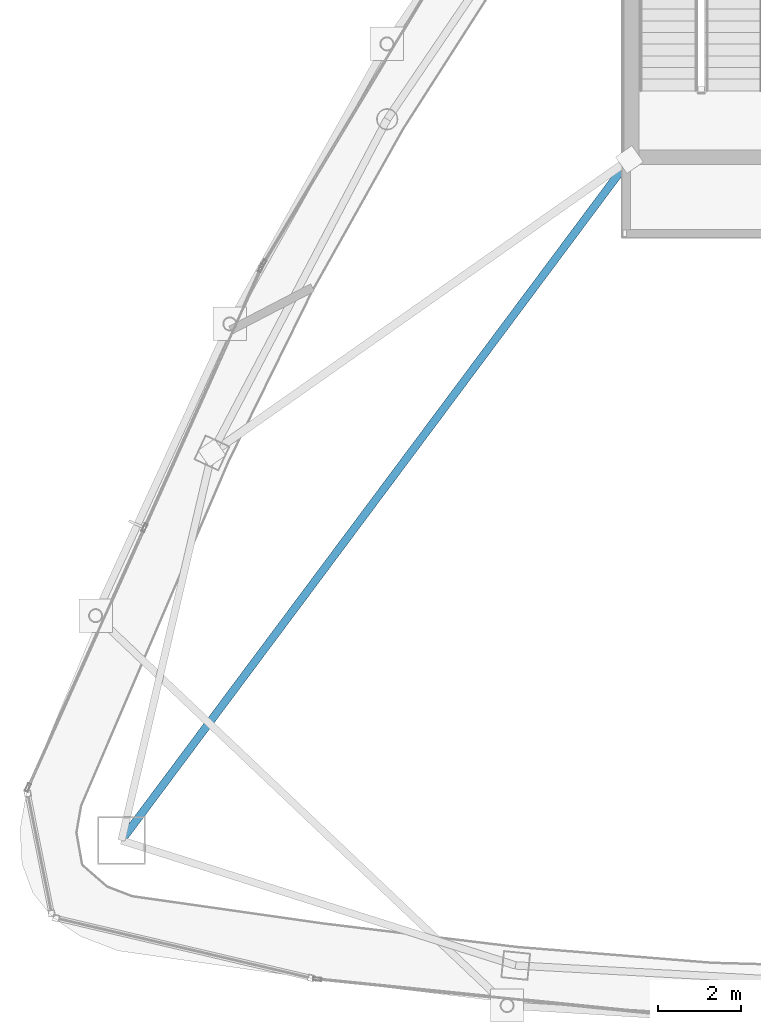
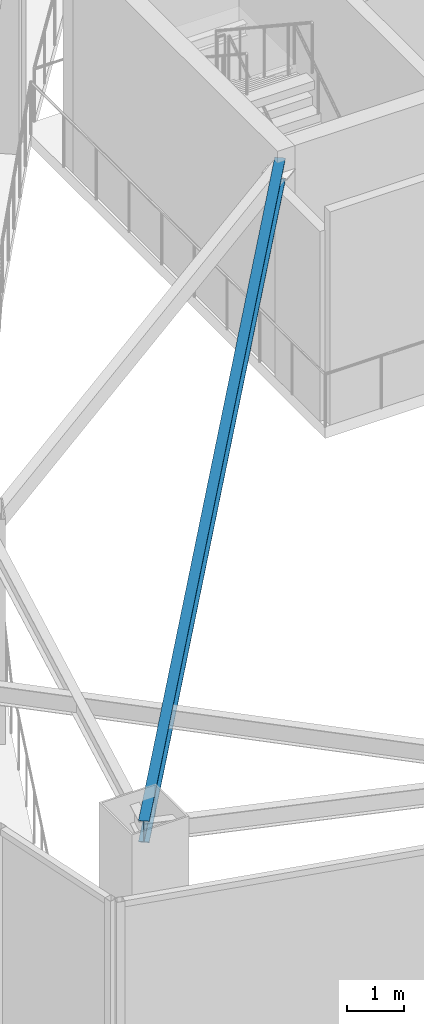
# One storey, part 5 of 20: 1 beam.
"""IFC4 building model written with IfcOpenShell, lengths in metres."""

from ifc_helpers import new_model, si_unit, direction, frame, origin, origin_2d, place, context, subcontext, project, spatial, i_section, extrude, material, material_profile, profile_set, type_object, element, save


model = new_model("IFC4")

# Units and contexts
model_context = context("Model", 3, precision=1e-05, world=origin(), true_north=direction((0.0, 1.0)))
body_context = subcontext(model_context, "Body", "Model", "MODEL_VIEW")
ifc_project = project(units=[si_unit("LENGTHUNIT", "METRE"), si_unit("AREAUNIT", "SQUARE_METRE"), si_unit("VOLUMEUNIT", "CUBIC_METRE"), si_unit("PLANEANGLEUNIT", "RADIAN"), si_unit("MASSUNIT", "GRAM", prefix="KILO")], contexts=[model_context])

# Site, building, storey
site_placement = place(None, origin())
site = spatial("IfcSite", under=ifc_project, at=site_placement, CompositionType="ELEMENT")
building_placement = place(site_placement, origin())
building = spatial("IfcBuilding", under=site, at=building_placement, Name="Orvanel Arch Residences", CompositionType="ELEMENT")
storey_placement = place(building_placement, frame((0.0, 0.0, 300.5)))
storey = spatial("IfcBuildingStorey", under=building, at=storey_placement, Name="L84", CompositionType="ELEMENT", Elevation=300.5)

# Beam
ifc_material = material(Name="Structural steel AS/NZS 3679.1 Grade 300 (300 MPa)", Category="steel")
ifc_material_profile = material_profile(ifc_material, i_section(OverallWidth=0.19091796875, OverallDepth=0.4599609375, WebThickness=0.010009765625, FlangeThickness=0.01611328125, at=origin_2d()), Name="460UB82.1")
ifc_profile_set = profile_set([ifc_material_profile], Name="Structural steel AS/NZS 3679.1 Grade 300 (300 MPa)")
beam_type = type_object("IfcBeamType", Name="BG-460UB", PredefinedType="BEAM", material=ifc_profile_set)
beam_placement = place(storey_placement, frame((26.375, 26.675048828125, 4.320068359375), z_axis=(-0.597893733742, -0.801575375839, 0.0), x_axis=(0.801575375839, -0.597893733742, 0.0)))
element("IfcBeam", 1, at=beam_placement, inside=storey, type_object=beam_type, Name="L84 South-West Radial Girder", PredefinedType="BEAM", context=body_context, shape_type="SweptSolid", body=[
    extrude(i_section(OverallWidth=0.19091796875, OverallDepth=0.4599609375, WebThickness=0.010009765625, FlangeThickness=0.01611328125, at=origin_2d()), origin(), (0.0, 0.0, 1.0), 20.36474609375),
])

save(model, "model.ifc")
